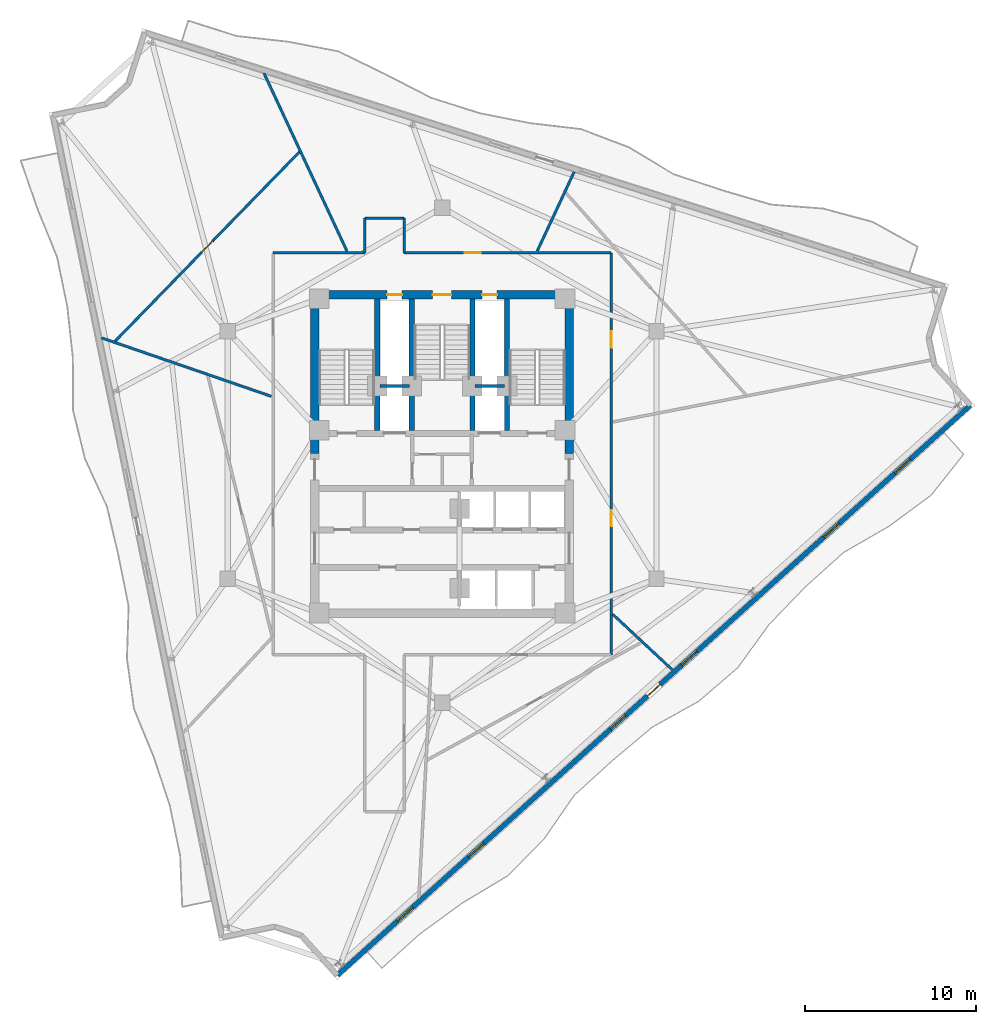
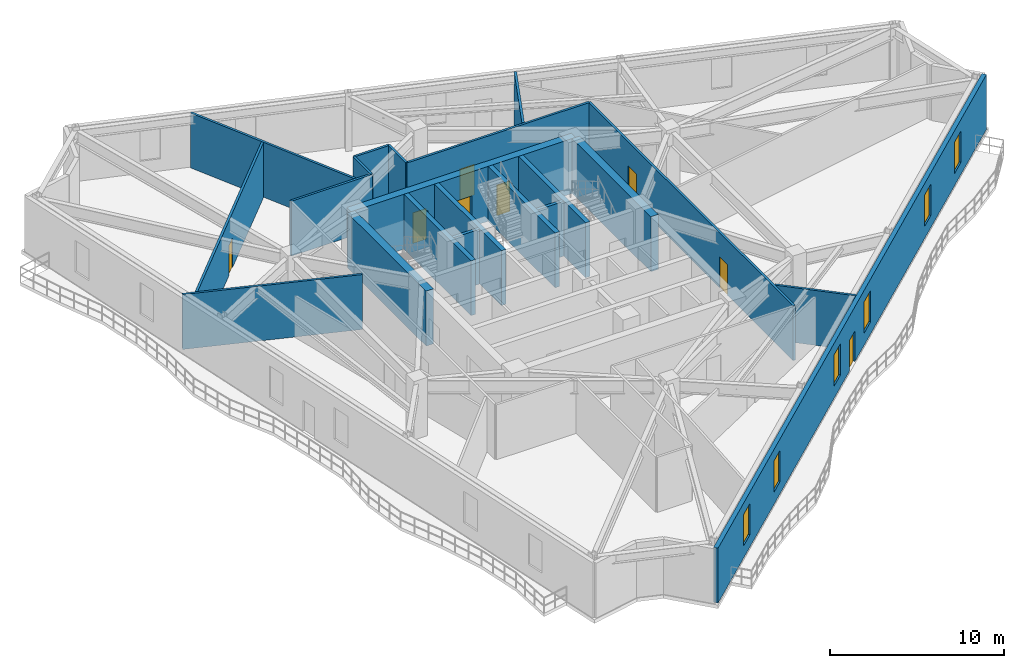
# One storey, part 7 of 12: 21 walls, 8 doors, 6 windows, 14 openings.
"""IFC4 building model written with IfcOpenShell, lengths in metres."""

from ifc_helpers import new_model, si_unit, direction, frame, frame_2d, origin, place, context, subcontext, project, spatial, rectangle, extrude, material, layer, layer_set, type_object, element, fill, save


model = new_model("IFC4")

# Units and contexts
model_context = context("Model", 3, precision=1e-05, world=origin(), true_north=direction((0.0, 1.0)))
body_context = subcontext(model_context, "Body", "Model", "MODEL_VIEW")
ifc_project = project(units=[si_unit("LENGTHUNIT", "METRE"), si_unit("AREAUNIT", "SQUARE_METRE"), si_unit("VOLUMEUNIT", "CUBIC_METRE"), si_unit("PLANEANGLEUNIT", "RADIAN"), si_unit("MASSUNIT", "GRAM", prefix="KILO")], contexts=[model_context])

# Site, building, storey
site_placement = place(None, origin())
site = spatial("IfcSite", under=ifc_project, at=site_placement, CompositionType="ELEMENT")
building_placement = place(site_placement, origin())
building = spatial("IfcBuilding", under=site, at=building_placement, Name="Apsidion Concourse Tower", CompositionType="ELEMENT")
storey_placement = place(building_placement, frame((0.0, 0.0, 248.60009765625)))
storey = spatial("IfcBuildingStorey", under=building, at=storey_placement, Name="L58", CompositionType="ELEMENT", Elevation=248.60009765625)

# Wall, openings, door, windows
ifc_material_1 = material(Name="Precast concrete C40/50", Category="concrete")
ifc_layer_1 = layer(ifc_material_1, 0.280029296875)
ifc_layer_set_1 = layer_set([ifc_layer_1], Name="Precast concrete C40/50")
wall_type_1 = type_object("IfcWallType", Name="WL-EXT-280", PredefinedType="STANDARD", material=ifc_layer_set_1)
wall_1_placement = place(storey_placement, frame((30.9345703125, 2.915771484375, 0.0), z_axis=(0.0, 0.0, 1.0), x_axis=(-0.743143233829, -0.66913237406, 0.0)))
wall_1 = element("IfcWall", 1, at=wall_1_placement, inside=storey, type_object=wall_type_1, Name="L58 Precast Stone Facade Wall 05", PredefinedType="STANDARD", context=body_context, shape_type="SweptSolid", body=[
    extrude(rectangle(XDim=49.8798828125, YDim=0.280029296875, at=frame_2d((24.93994140625, 0.0))), origin(), (0.0, 0.0, 1.0), 3.849853515625),
])
opening_1_placement = place(wall_1_placement, frame((24.43994140625, 0.0, 0.0)))
opening_1 = element("IfcOpeningElement", 2, at=opening_1_placement, cuts=wall_1, Name="Opening D-T1R", PredefinedType="OPENING", context=body_context, shape_type="SweptSolid", body=[
    extrude(rectangle(XDim=1.0, YDim=2.14990234375, at=frame_2d((0.5, 1.074951171875))), frame((0.0, 0.14990234375, 0.0), z_axis=(0.0, -1.0, 0.0), x_axis=(1.0, 0.0, 0.0)), (0.0, 0.0, 1.0), 0.300048828125),
])
opening_2_placement = place(wall_1_placement, frame((4.739990234375, 0.0, 0.85009765625)))
opening_2 = element("IfcOpeningElement", 3, at=opening_2_placement, cuts=wall_1, Name="Opening WN-06", PredefinedType="OPENING", context=body_context, shape_type="SweptSolid", body=[
    extrude(rectangle(XDim=1.199951171875, YDim=2.199951171875, at=frame_2d((0.60009765625, 1.10009765625))), frame((0.0, 0.14990234375, 0.0), z_axis=(0.0, -1.0, 0.0), x_axis=(1.0, 0.0, 0.0)), (0.0, 0.0, 1.0), 0.300048828125),
])
opening_3_placement = place(wall_1_placement, frame((10.33984375, 0.0, 0.85009765625)))
opening_3 = element("IfcOpeningElement", 4, at=opening_3_placement, cuts=wall_1, Name="Opening WN-06", PredefinedType="OPENING", context=body_context, shape_type="SweptSolid", body=[
    extrude(rectangle(XDim=1.199951171875, YDim=2.199951171875, at=frame_2d((0.60009765625, 1.10009765625))), frame((0.0, 0.14990234375, 0.0), z_axis=(0.0, -1.0, 0.0), x_axis=(1.0, 0.0, 0.0)), (0.0, 0.0, 1.0), 0.300048828125),
])
opening_4_placement = place(wall_1_placement, frame((21.539794921875, 0.0, 0.85009765625)))
opening_4 = element("IfcOpeningElement", 5, at=opening_4_placement, cuts=wall_1, Name="Opening WN-06", PredefinedType="OPENING", context=body_context, shape_type="SweptSolid", body=[
    extrude(rectangle(XDim=1.199951171875, YDim=2.199951171875, at=frame_2d((0.60009765625, 1.10009765625))), frame((0.0, 0.14990234375, 0.0), z_axis=(0.0, -1.0, 0.0), x_axis=(1.0, 0.0, 0.0)), (0.0, 0.0, 1.0), 0.300048828125),
])
opening_5_placement = place(wall_1_placement, frame((27.139892578125, 0.0, 0.85009765625)))
opening_5 = element("IfcOpeningElement", 6, at=opening_5_placement, cuts=wall_1, Name="Opening WN-06", PredefinedType="OPENING", context=body_context, shape_type="SweptSolid", body=[
    extrude(rectangle(XDim=1.199951171875, YDim=2.199951171875, at=frame_2d((0.60009765625, 1.10009765625))), frame((0.0, 0.14990234375, 0.0), z_axis=(0.0, -1.0, 0.0), x_axis=(1.0, 0.0, 0.0)), (0.0, 0.0, 1.0), 0.300048828125),
])
opening_6_placement = place(wall_1_placement, frame((38.33984375, 0.0, 0.85009765625)))
opening_6 = element("IfcOpeningElement", 7, at=opening_6_placement, cuts=wall_1, Name="Opening WN-06", PredefinedType="OPENING", context=body_context, shape_type="SweptSolid", body=[
    extrude(rectangle(XDim=1.199951171875, YDim=2.199951171875, at=frame_2d((0.60009765625, 1.10009765625))), frame((0.0, 0.14990234375, 0.0), z_axis=(0.0, -1.0, 0.0), x_axis=(1.0, 0.0, 0.0)), (0.0, 0.0, 1.0), 0.300048828125),
])
opening_7_placement = place(wall_1_placement, frame((43.93994140625, 0.0, 0.85009765625)))
opening_7 = element("IfcOpeningElement", 8, at=opening_7_placement, cuts=wall_1, Name="Opening WN-06", PredefinedType="OPENING", context=body_context, shape_type="SweptSolid", body=[
    extrude(rectangle(XDim=1.199951171875, YDim=2.199951171875, at=frame_2d((0.60009765625, 1.10009765625))), frame((0.0, 0.14990234375, 0.0), z_axis=(0.0, -1.0, 0.0), x_axis=(1.0, 0.0, 0.0)), (0.0, 0.0, 1.0), 0.300048828125),
])
ifc_material_2 = material(Name="Anodised aluminium EN AW-6063 T6", Category="aluminium")
door_type_1 = type_object("IfcDoorType", Name="DR-TER-1022R", OperationType="SINGLE_SWING_RIGHT", PredefinedType="DOOR", material=ifc_material_2)
door_1_placement = place(opening_1_placement, origin())
door_1 = element("IfcDoor", 9, at=door_1_placement, inside=storey, type_object=door_type_1, Name="L58 Balcony Access Door 2", OperationType="SINGLE_SWING_RIGHT", OverallHeight=2.14990234375, OverallWidth=1.0, PredefinedType="DOOR", context=body_context, shape_type="SweptSolid", body=[
    extrude(rectangle(XDim=1.0, YDim=2.14990234375, at=frame_2d((0.5, 1.074951171875))), frame((0.0, 0.02490234375, 0.0), z_axis=(0.0, -1.0, 0.0), x_axis=(1.0, 0.0, 0.0)), (0.0, 0.0, 1.0), 0.050048828125),
])
fill(opening_1, door_1)
ifc_material_3 = material(Name="Insulated laminated low-E glass", Category="glass")
window_type = type_object("IfcWindowType", Name="WN-OFF-1224", PartitioningType="SINGLE_PANEL", PredefinedType="WINDOW", material=ifc_material_3)
window_1_placement = place(opening_2_placement, origin())
window_1 = element("IfcWindow", 10, at=window_1_placement, inside=storey, type_object=window_type, Name="L58 Punched Facade Window 5-01", OverallHeight=2.199951171875, OverallWidth=1.199951171875, PartitioningType="SINGLE_PANEL", PredefinedType="WINDOW", context=body_context, shape_type="SweptSolid", body=[
    extrude(rectangle(XDim=1.199951171875, YDim=2.199951171875, at=frame_2d((0.60009765625, 1.10009765625))), frame((0.0, 0.030029296875, 0.0), z_axis=(0.0, -1.0, 0.0), x_axis=(1.0, 0.0, 0.0)), (0.0, 0.0, 1.0), 0.06005859375),
])
fill(opening_2, window_1)
window_2_placement = place(opening_3_placement, origin())
window_2 = element("IfcWindow", 11, at=window_2_placement, inside=storey, type_object=window_type, Name="L58 Punched Facade Window 5-02", OverallHeight=2.199951171875, OverallWidth=1.199951171875, PartitioningType="SINGLE_PANEL", PredefinedType="WINDOW", context=body_context, shape_type="SweptSolid", body=[
    extrude(rectangle(XDim=1.199951171875, YDim=2.199951171875, at=frame_2d((0.60009765625, 1.10009765625))), frame((0.0, 0.030029296875, 0.0), z_axis=(0.0, -1.0, 0.0), x_axis=(1.0, 0.0, 0.0)), (0.0, 0.0, 1.0), 0.06005859375),
])
fill(opening_3, window_2)
window_3_placement = place(opening_4_placement, origin())
window_3 = element("IfcWindow", 12, at=window_3_placement, inside=storey, type_object=window_type, Name="L58 Punched Facade Window 5-04", OverallHeight=2.199951171875, OverallWidth=1.199951171875, PartitioningType="SINGLE_PANEL", PredefinedType="WINDOW", context=body_context, shape_type="SweptSolid", body=[
    extrude(rectangle(XDim=1.199951171875, YDim=2.199951171875, at=frame_2d((0.60009765625, 1.10009765625))), frame((0.0, 0.030029296875, 0.0), z_axis=(0.0, -1.0, 0.0), x_axis=(1.0, 0.0, 0.0)), (0.0, 0.0, 1.0), 0.06005859375),
])
fill(opening_4, window_3)
window_4_placement = place(opening_5_placement, origin())
window_4 = element("IfcWindow", 13, at=window_4_placement, inside=storey, type_object=window_type, Name="L58 Punched Facade Window 5-05", OverallHeight=2.199951171875, OverallWidth=1.199951171875, PartitioningType="SINGLE_PANEL", PredefinedType="WINDOW", context=body_context, shape_type="SweptSolid", body=[
    extrude(rectangle(XDim=1.199951171875, YDim=2.199951171875, at=frame_2d((0.60009765625, 1.10009765625))), frame((0.0, 0.030029296875, 0.0), z_axis=(0.0, -1.0, 0.0), x_axis=(1.0, 0.0, 0.0)), (0.0, 0.0, 1.0), 0.06005859375),
])
fill(opening_5, window_4)
window_5_placement = place(opening_6_placement, origin())
window_5 = element("IfcWindow", 14, at=window_5_placement, inside=storey, type_object=window_type, Name="L58 Punched Facade Window 5-07", OverallHeight=2.199951171875, OverallWidth=1.199951171875, PartitioningType="SINGLE_PANEL", PredefinedType="WINDOW", context=body_context, shape_type="SweptSolid", body=[
    extrude(rectangle(XDim=1.199951171875, YDim=2.199951171875, at=frame_2d((0.60009765625, 1.10009765625))), frame((0.0, 0.030029296875, 0.0), z_axis=(0.0, -1.0, 0.0), x_axis=(1.0, 0.0, 0.0)), (0.0, 0.0, 1.0), 0.06005859375),
])
fill(opening_6, window_5)
window_6_placement = place(opening_7_placement, origin())
window_6 = element("IfcWindow", 15, at=window_6_placement, inside=storey, type_object=window_type, Name="L58 Punched Facade Window 5-08", OverallHeight=2.199951171875, OverallWidth=1.199951171875, PartitioningType="SINGLE_PANEL", PredefinedType="WINDOW", context=body_context, shape_type="SweptSolid", body=[
    extrude(rectangle(XDim=1.199951171875, YDim=2.199951171875, at=frame_2d((0.60009765625, 1.10009765625))), frame((0.0, 0.030029296875, 0.0), z_axis=(0.0, -1.0, 0.0), x_axis=(1.0, 0.0, 0.0)), (0.0, 0.0, 1.0), 0.06005859375),
])
fill(opening_7, window_6)

# Walls
ifc_material_4 = material(Name="Gypsum plasterboard partition")
ifc_layer_2 = layer(ifc_material_4, 0.14990234375)
ifc_layer_set_2 = layer_set([ifc_layer_2], Name="Gypsum plasterboard partition")
wall_type_2 = type_object("IfcWallType", Name="WL-INT-PAR-150", PredefinedType="PARTITIONING", material=ifc_layer_set_2)
wall_2_placement = place(storey_placement, frame((-9.89990234375, 11.85009765625, 0.0), z_axis=(0.0, 0.0, 1.0), x_axis=(1.0, 0.0, 0.0)))
element("IfcWall", 16, at=wall_2_placement, inside=storey, type_object=wall_type_2, Name="L58 Interior Partition WL-L58-CORR-03", PredefinedType="PARTITIONING", context=body_context, shape_type="SweptSolid", body=[
    extrude(rectangle(XDim=5.369873046875, YDim=0.14990234375, at=frame_2d((2.68505859375, 0.0))), origin(), (0.0, 0.0, 1.0), 3.849853515625),
])
wall_3_placement = place(storey_placement, frame((-4.530029296875, 11.85009765625, 0.0), z_axis=(0.0, 0.0, 1.0), x_axis=(0.0, 1.0, 0.0)))
element("IfcWall", 17, at=wall_3_placement, inside=storey, type_object=wall_type_2, Name="L58 Interior Partition WL-L58-CORR-04", PredefinedType="PARTITIONING", context=body_context, shape_type="SweptSolid", body=[
    extrude(rectangle(XDim=2.02978515625, YDim=0.14990234375, at=frame_2d((1.014892578125, 0.0))), origin(), (0.0, 0.0, 1.0), 3.849853515625),
])
wall_4_placement = place(storey_placement, frame((-4.530029296875, 13.8798828125, 0.0), z_axis=(0.0, 0.0, 1.0), x_axis=(1.0, 0.0, 0.0)))
element("IfcWall", 18, at=wall_4_placement, inside=storey, type_object=wall_type_2, Name="L58 Interior Partition WL-L58-CORR-05", PredefinedType="PARTITIONING", context=body_context, shape_type="SweptSolid", body=[
    extrude(rectangle(XDim=2.31005859375, YDim=0.14990234375, at=frame_2d((1.155029296875, 0.0))), origin(), (0.0, 0.0, 1.0), 3.849853515625),
])
wall_5_placement = place(storey_placement, frame((-2.219970703125, 13.8798828125, 0.0), z_axis=(0.0, 0.0, 1.0), x_axis=(0.0, -1.0, 0.0)))
element("IfcWall", 19, at=wall_5_placement, inside=storey, type_object=wall_type_2, Name="L58 Interior Partition WL-L58-CORR-06", PredefinedType="PARTITIONING", context=body_context, shape_type="SweptSolid", body=[
    extrude(rectangle(XDim=2.02978515625, YDim=0.14990234375, at=frame_2d((1.014892578125, 0.0))), origin(), (0.0, 0.0, 1.0), 3.849853515625),
])

# Wall, opening, door
wall_6_placement = place(storey_placement, frame((-2.219970703125, 11.85009765625, 0.0), z_axis=(0.0, 0.0, 1.0), x_axis=(1.0, 0.0, 0.0)))
wall_6 = element("IfcWall", 20, at=wall_6_placement, inside=storey, type_object=wall_type_2, Name="L58 Interior Partition WL-L58-CORR-07", PredefinedType="PARTITIONING", context=body_context, shape_type="SweptSolid", body=[
    extrude(rectangle(XDim=12.119873046875, YDim=0.14990234375, at=frame_2d((6.06005859375, 0.0))), origin(), (0.0, 0.0, 1.0), 3.849853515625),
])
opening_8_placement = place(wall_6_placement, frame((3.5439453125, 0.0, 0.0)))
opening_8 = element("IfcOpeningElement", 21, at=opening_8_placement, cuts=wall_6, Name="Opening D-01R", PredefinedType="OPENING", context=body_context, shape_type="SweptSolid", body=[
    extrude(rectangle(XDim=0.949951171875, YDim=2.14990234375, at=frame_2d((0.47509765625, 1.074951171875))), frame((0.0, 0.0849609375, 0.0), z_axis=(0.0, -1.0, 0.0), x_axis=(1.0, 0.0, 0.0)), (0.0, 0.0, 1.0), 0.169921875),
])
ifc_material_5 = material(Name="Brushed stainless steel 316", Category="steel")
door_type_2 = type_object("IfcDoorType", Name="DR-INT-D01R", OperationType="SINGLE_SWING_RIGHT", PredefinedType="DOOR", material=ifc_material_5)
door_2_placement = place(opening_8_placement, origin())
door_2 = element("IfcDoor", 22, at=door_2_placement, inside=storey, type_object=door_type_2, Name="L58 Corridor Entry Door 06", OperationType="SINGLE_SWING_RIGHT", OverallHeight=2.14990234375, OverallWidth=0.949951171875, PredefinedType="DOOR", context=body_context, shape_type="SweptSolid", body=[
    extrude(rectangle(XDim=0.949951171875, YDim=2.14990234375, at=frame_2d((0.47509765625, 1.074951171875))), frame((0.0, 0.02490234375, 0.0), z_axis=(0.0, -1.0, 0.0), x_axis=(1.0, 0.0, 0.0)), (0.0, 0.0, 1.0), 0.050048828125),
])
fill(opening_8, door_2)

# Wall, openings, doors
wall_7_placement = place(storey_placement, frame((9.89990234375, 11.85009765625, 0.0), z_axis=(0.0, 0.0, 1.0), x_axis=(0.0, -1.0, 0.0)))
wall_7 = element("IfcWall", 23, at=wall_7_placement, inside=storey, type_object=wall_type_2, Name="L58 Interior Partition WL-L58-CORR-08", PredefinedType="PARTITIONING", context=body_context, shape_type="SweptSolid", body=[
    extrude(rectangle(XDim=23.550048828125, YDim=0.14990234375, at=frame_2d((11.77490234375, 0.0))), origin(), (0.0, 0.0, 1.0), 3.849853515625),
])
opening_9_placement = place(wall_7_placement, frame((15.0751953125, 0.0, 0.0)))
opening_9 = element("IfcOpeningElement", 24, at=opening_9_placement, cuts=wall_7, Name="Opening D-01R", PredefinedType="OPENING", context=body_context, shape_type="SweptSolid", body=[
    extrude(rectangle(XDim=0.949951171875, YDim=2.14990234375, at=frame_2d((0.47509765625, 1.074951171875))), frame((0.0, 0.0849609375, 0.0), z_axis=(0.0, -1.0, 0.0), x_axis=(1.0, 0.0, 0.0)), (0.0, 0.0, 1.0), 0.169921875),
])
opening_10_placement = place(wall_7_placement, frame((4.607177734375, 0.0, 0.0)))
opening_10 = element("IfcOpeningElement", 25, at=opening_10_placement, cuts=wall_7, Name="Opening D-01L", PredefinedType="OPENING", context=body_context, shape_type="SweptSolid", body=[
    extrude(rectangle(XDim=0.949951171875, YDim=2.14990234375, at=frame_2d((0.47509765625, 1.074951171875))), frame((0.0, 0.0849609375, 0.0), z_axis=(0.0, -1.0, 0.0), x_axis=(1.0, 0.0, 0.0)), (0.0, 0.0, 1.0), 0.169921875),
])
door_type_3 = type_object("IfcDoorType", Name="DR-INT-D01L", OperationType="SINGLE_SWING_LEFT", PredefinedType="DOOR", material=ifc_material_5)
door_3_placement = place(opening_10_placement, origin())
door_3 = element("IfcDoor", 26, at=door_3_placement, inside=storey, type_object=door_type_3, Name="L58 Corridor Entry Door 05", OperationType="SINGLE_SWING_LEFT", OverallHeight=2.14990234375, OverallWidth=0.949951171875, PredefinedType="DOOR", context=body_context, shape_type="SweptSolid", body=[
    extrude(rectangle(XDim=0.949951171875, YDim=2.14990234375, at=frame_2d((0.47509765625, 1.074951171875))), frame((0.0, 0.02490234375, 0.0), z_axis=(0.0, -1.0, 0.0), x_axis=(1.0, 0.0, 0.0)), (0.0, 0.0, 1.0), 0.050048828125),
])
fill(opening_10, door_3)
door_4_placement = place(opening_9_placement, origin())
door_4 = element("IfcDoor", 27, at=door_4_placement, inside=storey, type_object=door_type_2, Name="L58 Corridor Entry Door 04", OperationType="SINGLE_SWING_RIGHT", OverallHeight=2.14990234375, OverallWidth=0.949951171875, PredefinedType="DOOR", context=body_context, shape_type="SweptSolid", body=[
    extrude(rectangle(XDim=0.949951171875, YDim=2.14990234375, at=frame_2d((0.47509765625, 1.074951171875))), frame((0.0, 0.02490234375, 0.0), z_axis=(0.0, -1.0, 0.0), x_axis=(1.0, 0.0, 0.0)), (0.0, 0.0, 1.0), 0.050048828125),
])
fill(opening_9, door_4)

# Walls
wall_8_placement = place(storey_placement, frame((5.57470703125, 11.955078125, 0.0), z_axis=(0.0, 0.0, 1.0), x_axis=(0.422627158144, 0.906303638523, 0.0)))
element("IfcWall", 28, at=wall_8_placement, inside=storey, type_object=wall_type_2, Name="L58 Interior Partition WL-L58-RAD-02-1", PredefinedType="PARTITIONING", context=body_context, shape_type="SweptSolid", body=[
    extrude(rectangle(XDim=5.122802734375, YDim=0.14990234375, at=frame_2d((2.5615234375, 0.0))), origin(), (0.0, 0.0, 1.0), 3.849853515625),
])
wall_9_placement = place(storey_placement, frame((-5.57470703125, 11.955078125, 0.0), z_axis=(0.0, 0.0, 1.0), x_axis=(-0.422621412421, 0.906306317844, 0.0)))
element("IfcWall", 29, at=wall_9_placement, inside=storey, type_object=wall_type_2, Name="L58 Interior Partition WL-L58-RAD-03-1", PredefinedType="PARTITIONING", context=body_context, shape_type="SweptSolid", body=[
    extrude(rectangle(XDim=11.49072265625, YDim=0.14990234375, at=frame_2d((5.745361328125, 0.0))), origin(), (0.0, 0.0, 1.0), 3.849853515625),
])
wall_10_placement = place(storey_placement, frame((-10.0048828125, 3.445068359375, 0.0), z_axis=(0.0, 0.0, 1.0), x_axis=(-0.94552154792, 0.325559522082, 0.0)))
element("IfcWall", 30, at=wall_10_placement, inside=storey, type_object=wall_type_2, Name="L58 Interior Partition WL-L58-RAD-04-1", PredefinedType="PARTITIONING", context=body_context, shape_type="SweptSolid", body=[
    extrude(rectangle(XDim=10.5234375, YDim=0.14990234375, at=frame_2d((5.26171875, 0.0))), origin(), (0.0, 0.0, 1.0), 3.849853515625),
])
wall_11_placement = place(storey_placement, frame((10.0048828125, -9.329833984375, 0.0), z_axis=(0.0, 0.0, 1.0), x_axis=(0.731358310886, -0.681993417195, 0.0)))
element("IfcWall", 31, at=wall_11_placement, inside=storey, type_object=wall_type_2, Name="L58 Interior Partition WL-L58-RAD-07-1", PredefinedType="PARTITIONING", context=body_context, shape_type="SweptSolid", body=[
    extrude(rectangle(XDim=4.767578125, YDim=0.14990234375, at=frame_2d((2.3837890625, 0.0))), origin(), (0.0, 0.0, 1.0), 3.849853515625),
])

# Wall, opening, door
wall_12_placement = place(storey_placement, frame((-8.32421875, 17.7919921875, 0.0), z_axis=(0.0, 0.0, 1.0), x_axis=(-0.697638705939, -0.716449744208, 0.0)))
wall_12 = element("IfcWall", 32, at=wall_12_placement, inside=storey, type_object=wall_type_2, Name="L58 Interior Partition WL-L58-CHD-OFS06", PredefinedType="PARTITIONING", context=body_context, shape_type="SweptSolid", body=[
    extrude(rectangle(XDim=15.57421875, YDim=0.14990234375, at=frame_2d((7.787109375, 0.0))), origin(), (0.0, 0.0, 1.0), 3.849853515625),
])
opening_11_placement = place(wall_12_placement, frame((7.337158203125, 0.0, 0.0)))
opening_11 = element("IfcOpeningElement", 33, at=opening_11_placement, cuts=wall_12, Name="Opening D-02L", PredefinedType="OPENING", context=body_context, shape_type="SweptSolid", body=[
    extrude(rectangle(XDim=0.89990234375, YDim=2.10009765625, at=frame_2d((0.449951171875, 1.050048828125))), frame((0.0, 0.0849609375, 0.0), z_axis=(0.0, -1.0, 0.0), x_axis=(1.0, 0.0, 0.0)), (0.0, 0.0, 1.0), 0.169921875),
])
door_type_4 = type_object("IfcDoorType", Name="DR-INT-D02L", OperationType="SINGLE_SWING_LEFT", PredefinedType="DOOR", material=ifc_material_2)
door_5_placement = place(opening_11_placement, origin())
door_5 = element("IfcDoor", 34, at=door_5_placement, inside=storey, type_object=door_type_4, Name="L58 Suite Connecting Door OFS06", OperationType="SINGLE_SWING_LEFT", OverallHeight=2.10009765625, OverallWidth=0.89990234375, PredefinedType="DOOR", context=body_context, shape_type="SweptSolid", body=[
    extrude(rectangle(XDim=0.89990234375, YDim=2.10009765625, at=frame_2d((0.449951171875, 1.050048828125))), frame((0.0, 0.02490234375, 0.0), z_axis=(0.0, -1.0, 0.0), x_axis=(1.0, 0.0, 0.0)), (0.0, 0.0, 1.0), 0.050048828125),
])
fill(opening_11, door_5)

# Walls
ifc_layer_3 = layer(ifc_material_4, 0.199951171875)
ifc_layer_set_3 = layer_set([ifc_layer_3], Name="Gypsum plasterboard partition")
wall_type_3 = type_object("IfcWallType", Name="WL-INT-PAR-200", PredefinedType="PARTITIONING", material=ifc_layer_set_3)
for number, where, z_axis, x_axis, name in (
    (35, (-3.64990234375, 4.050048828125, 0.0), (0.0, 0.0, 1.0), (1.0, 0.0, 0.0), "L58 Interior Partition WL-L58-FF1-N"),
    (36, (1.919921875, 4.050048828125, 0.0), (0.0, 0.0, 1.0), (1.0, 0.0, 0.0), "L58 Interior Partition WL-L58-FF2-N"),
):
    element("IfcWall", number, at=place(storey_placement, frame(where, z_axis=z_axis, x_axis=x_axis)), inside=storey, type_object=wall_type_3, Name=name, PredefinedType="PARTITIONING", context=body_context, shape_type="SweptSolid", body=[
        extrude(rectangle(XDim=1.72998046875, YDim=0.199951171875, at=frame_2d((0.864990234375, 0.0))), origin(), (0.0, 0.0, 1.0), 3.849853515625),
    ])
ifc_material_6 = material(Name="Concrete C50/60", Category="concrete")
ifc_layer_4 = layer(ifc_material_6, 0.300048828125)
ifc_layer_set_4 = layer_set([ifc_layer_4], Name="Concrete C50/60")
wall_type_4 = type_object("IfcWallType", Name="WL-SH-300", PredefinedType="SHEAR", material=ifc_layer_set_4)
for number, where, z_axis, x_axis, name in (
    (37, (-3.800048828125, 1.449951171875, 0.0), (0.0, 0.0, 1.0), (0.0, 1.0, 0.0), "L58 Central Core Shear Wall V1"),
    (38, (-1.77490234375, 1.449951171875, 0.0), (0.0, 0.0, 1.0), (0.0, 1.0, 0.0), "L58 Central Core Shear Wall V2"),
    (39, (1.77490234375, 1.449951171875, 0.0), (0.0, 0.0, 1.0), (0.0, 1.0, 0.0), "L58 Central Core Shear Wall V3"),
    (40, (3.800048828125, 1.449951171875, 0.0), (0.0, 0.0, 1.0), (0.0, 1.0, 0.0), "L58 Central Core Shear Wall V4"),
):
    element("IfcWall", number, at=place(storey_placement, frame(where, z_axis=z_axis, x_axis=x_axis)), inside=storey, type_object=wall_type_4, Name=name, PredefinedType="SHEAR", context=body_context, shape_type="SweptSolid", body=[
        extrude(rectangle(XDim=7.699951171875, YDim=0.300048828125, at=frame_2d((3.85009765625, 0.0))), origin(), (0.0, 0.0, 1.0), 3.849853515625),
    ])

# Wall, openings, doors
ifc_layer_5 = layer(ifc_material_6, 0.5)
ifc_layer_set_5 = layer_set([ifc_layer_5], Name="Concrete C50/60")
wall_type_5 = type_object("IfcWallType", Name="WL-SH-500", PredefinedType="SHEAR", material=ifc_layer_set_5)
wall_13_placement = place(storey_placement, frame((-7.449951171875, 9.39990234375, 0.0), z_axis=(0.0, 0.0, 1.0), x_axis=(1.0, 0.0, 0.0)))
wall_13 = element("IfcWall", 41, at=wall_13_placement, inside=storey, type_object=wall_type_5, Name="L58 Central Core Shear Wall N", PredefinedType="SHEAR", context=body_context, shape_type="SweptSolid", body=[
    extrude(rectangle(XDim=14.89990234375, YDim=0.5, at=frame_2d((7.449951171875, 0.0))), origin(), (0.0, 0.0, 1.0), 3.849853515625),
])
opening_12_placement = place(wall_13_placement, frame((6.89990234375, 0.0, 0.0)))
opening_12 = element("IfcOpeningElement", 42, at=opening_12_placement, cuts=wall_13, Name="Opening D-STL", PredefinedType="OPENING", context=body_context, shape_type="SweptSolid", body=[
    extrude(rectangle(XDim=1.10009765625, YDim=2.14990234375, at=frame_2d((0.550048828125, 1.074951171875))), frame((0.0, 0.260009765625, 0.0), z_axis=(0.0, -1.0, 0.0), x_axis=(1.0, 0.0, 0.0)), (0.0, 0.0, 1.0), 0.52001953125),
])
opening_13_placement = place(wall_13_placement, frame((4.22998046875, 0.0, 0.0)))
opening_13 = element("IfcOpeningElement", 43, at=opening_13_placement, cuts=wall_13, Name="Opening D-05L", PredefinedType="OPENING", context=body_context, shape_type="SweptSolid", body=[
    extrude(rectangle(XDim=0.8798828125, YDim=2.14990234375, at=frame_2d((0.43994140625, 1.074951171875))), frame((0.0, 0.260009765625, 0.0), z_axis=(0.0, -1.0, 0.0), x_axis=(1.0, 0.0, 0.0)), (0.0, 0.0, 1.0), 0.52001953125),
])
opening_14_placement = place(wall_13_placement, frame((9.7900390625, 0.0, 0.0)))
opening_14 = element("IfcOpeningElement", 44, at=opening_14_placement, cuts=wall_13, Name="Opening D-05R", PredefinedType="OPENING", context=body_context, shape_type="SweptSolid", body=[
    extrude(rectangle(XDim=0.8798828125, YDim=2.14990234375, at=frame_2d((0.43994140625, 1.074951171875))), frame((0.0, 0.260009765625, 0.0), z_axis=(0.0, -1.0, 0.0), x_axis=(1.0, 0.0, 0.0)), (0.0, 0.0, 1.0), 0.52001953125),
])
door_type_5 = type_object("IfcDoorType", Name="DR-INT-D05L", OperationType="SINGLE_SWING_LEFT", PredefinedType="DOOR", material=ifc_material_5)
door_6_placement = place(opening_13_placement, origin())
door_6 = element("IfcDoor", 45, at=door_6_placement, inside=storey, type_object=door_type_5, Name="L58 Electrical Riser Shaft Access Door", OperationType="SINGLE_SWING_LEFT", OverallHeight=2.14990234375, OverallWidth=0.8798828125, PredefinedType="DOOR", context=body_context, shape_type="SweptSolid", body=[
    extrude(rectangle(XDim=0.8798828125, YDim=2.14990234375, at=frame_2d((0.43994140625, 1.074951171875))), frame((0.0, 0.02490234375, 0.0), z_axis=(0.0, -1.0, 0.0), x_axis=(1.0, 0.0, 0.0)), (0.0, 0.0, 1.0), 0.050048828125),
])
fill(opening_13, door_6)
door_type_6 = type_object("IfcDoorType", Name="DR-INT-D05R", OperationType="SINGLE_SWING_RIGHT", PredefinedType="DOOR", material=ifc_material_5)
door_7_placement = place(opening_14_placement, origin())
door_7 = element("IfcDoor", 46, at=door_7_placement, inside=storey, type_object=door_type_6, Name="L58 Mechanical Riser Shaft Access Door", OperationType="SINGLE_SWING_RIGHT", OverallHeight=2.14990234375, OverallWidth=0.8798828125, PredefinedType="DOOR", context=body_context, shape_type="SweptSolid", body=[
    extrude(rectangle(XDim=0.8798828125, YDim=2.14990234375, at=frame_2d((0.43994140625, 1.074951171875))), frame((0.0, 0.02490234375, 0.0), z_axis=(0.0, -1.0, 0.0), x_axis=(1.0, 0.0, 0.0)), (0.0, 0.0, 1.0), 0.050048828125),
])
fill(opening_14, door_7)
door_type_7 = type_object("IfcDoorType", Name="DR-INT-ST1L", OperationType="SINGLE_SWING_LEFT", PredefinedType="DOOR", material=ifc_material_5)
door_8_placement = place(opening_12_placement, origin())
door_8 = element("IfcDoor", 47, at=door_8_placement, inside=storey, type_object=door_type_7, Name="L58 Core Exit Stair ST3 Door", OperationType="SINGLE_SWING_LEFT", OverallHeight=2.14990234375, OverallWidth=1.10009765625, PredefinedType="DOOR", context=body_context, shape_type="SweptSolid", body=[
    extrude(rectangle(XDim=1.10009765625, YDim=2.14990234375, at=frame_2d((0.550048828125, 1.074951171875))), frame((0.0, 0.02490234375, 0.0), z_axis=(0.0, -1.0, 0.0), x_axis=(1.0, 0.0, 0.0)), (0.0, 0.0, 1.0), 0.050048828125),
])
fill(opening_12, door_8)

# Walls
for number, where, z_axis, x_axis, name in (
    (48, (-7.449951171875, 0.10009765625, 0.0), (0.0, 0.0, 1.0), (0.0, 1.0, 0.0), "L58 Central Core Shear Wall WN"),
    (49, (7.449951171875, 0.10009765625, 0.0), (0.0, 0.0, 1.0), (0.0, 1.0, 0.0), "L58 Central Core Shear Wall EN"),
):
    element("IfcWall", number, at=place(storey_placement, frame(where, z_axis=z_axis, x_axis=x_axis)), inside=storey, type_object=wall_type_5, Name=name, PredefinedType="SHEAR", context=body_context, shape_type="SweptSolid", body=[
        extrude(rectangle(XDim=9.0498046875, YDim=0.5, at=frame_2d((4.52490234375, 0.0))), origin(), (0.0, 0.0, 1.0), 3.849853515625),
    ])

save(model, "model.ifc")
